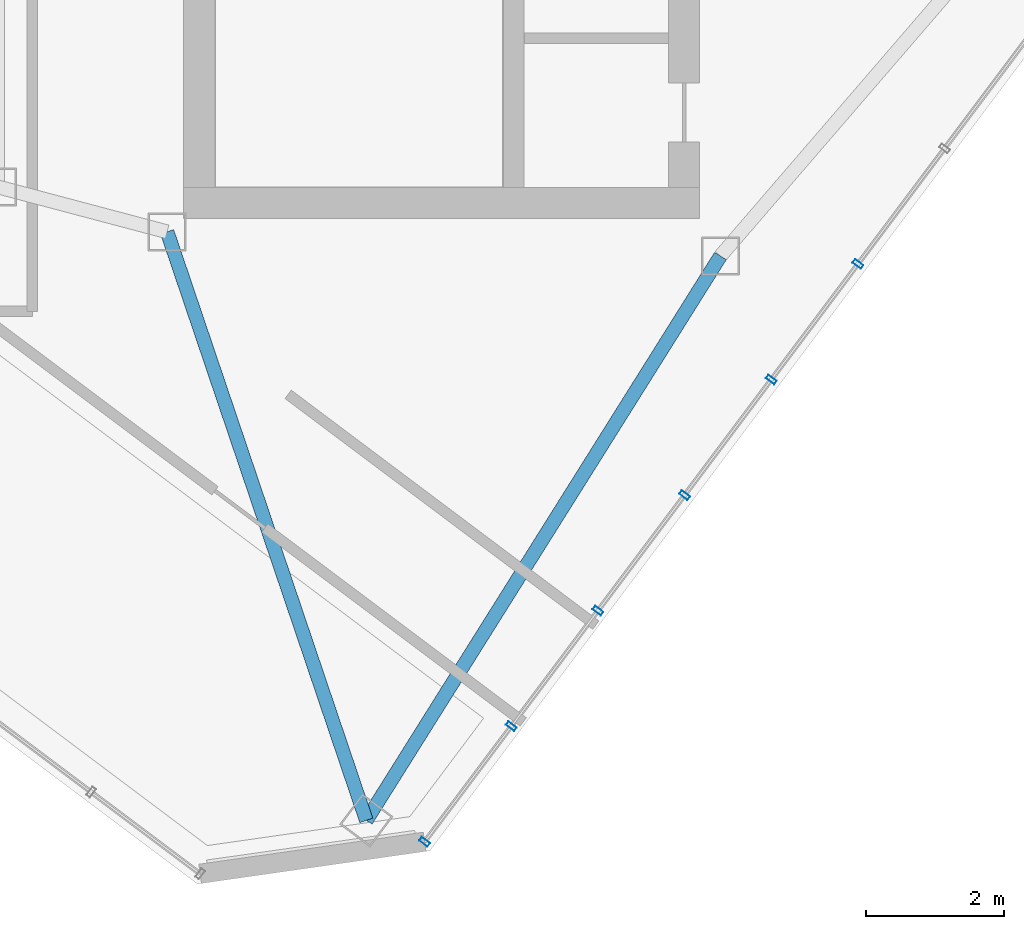
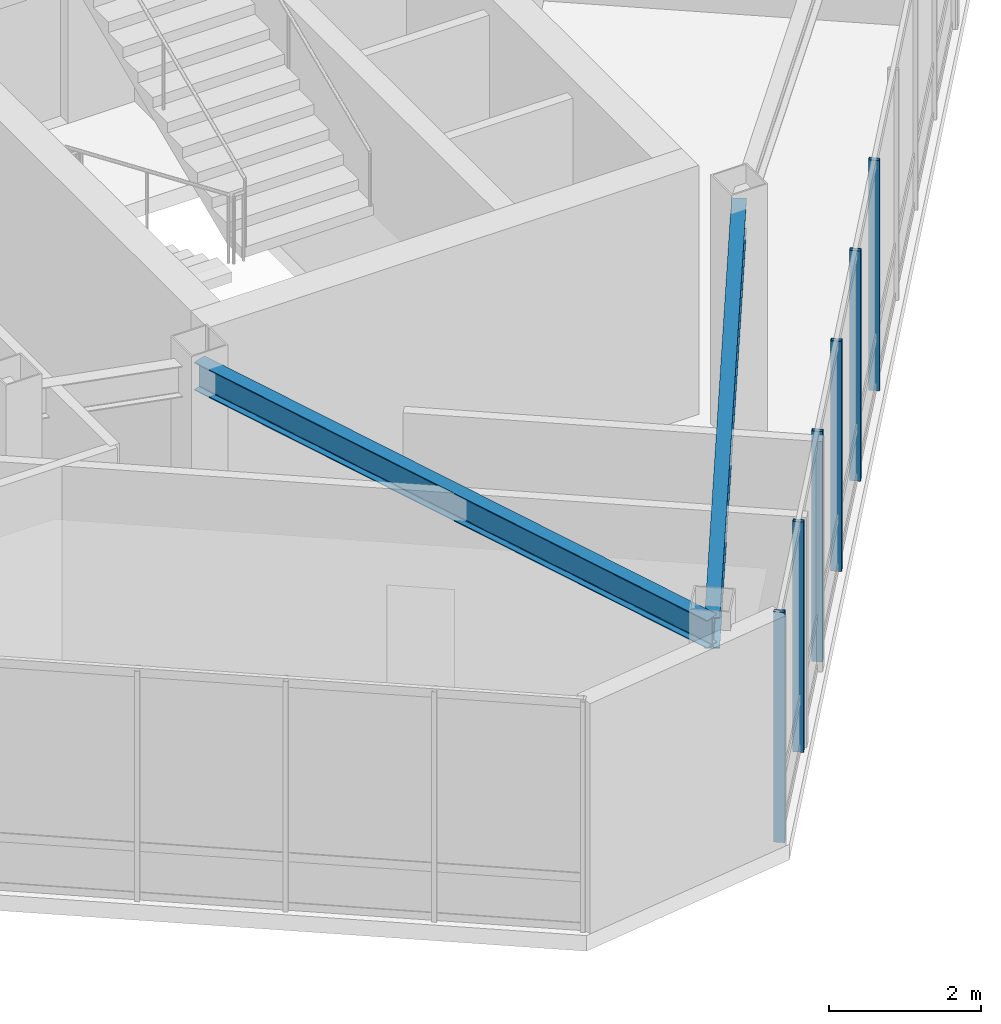
# One storey, part 5 of 24: 6 members, 2 beams, 1 element without a shape of its own.
"""IFC4 building model written with IfcOpenShell, lengths in metres."""

from ifc_helpers import new_model, si_unit, direction, frame, origin, origin_2d, place, context, subcontext, project, spatial, hollow_rectangle, i_section, extrude, material, layer, layer_set, material_profile, profile_set, type_object, element, aggregate, save


model = new_model("IFC4")

# Units and contexts
model_context = context("Model", 3, precision=1e-05, world=origin(), true_north=direction((0.0, 1.0)))
body_context = subcontext(model_context, "Body", "Model", "MODEL_VIEW")
ifc_project = project(units=[si_unit("LENGTHUNIT", "METRE"), si_unit("AREAUNIT", "SQUARE_METRE"), si_unit("VOLUMEUNIT", "CUBIC_METRE"), si_unit("PLANEANGLEUNIT", "RADIAN"), si_unit("MASSUNIT", "GRAM", prefix="KILO")], contexts=[model_context])

# Site, building, storey
site_placement = place(None, origin())
site = spatial("IfcSite", under=ifc_project, at=site_placement, CompositionType="ELEMENT")
building_placement = place(site_placement, origin())
building = spatial("IfcBuilding", under=site, at=building_placement, Name="Hatsunagi Terrace Concourse", CompositionType="ELEMENT")
storey_placement = place(building_placement, frame((0.0, 0.0, 285.949951171875)))
storey = spatial("IfcBuildingStorey", under=building, at=storey_placement, Name="L75", CompositionType="ELEMENT", Elevation=285.949951171875)

# Beam
ifc_material_1 = material(Name="Steel SN490B", Category="steel")
ifc_material_profile_1 = material_profile(ifc_material_1, i_section(OverallWidth=0.199951171875, OverallDepth=0.5, WebThickness=0.010009765625, FlangeThickness=0.01611328125, FilletRadius=0.01611328125, at=origin_2d()), Name="H-500x200x10x16")
ifc_profile_set_1 = profile_set([ifc_material_profile_1], Name="Steel SN490B")
beam_type_1 = type_object("IfcBeamType", Name="CrownFloorGirder_H_500x200", PredefinedType="BEAM", material=ifc_profile_set_1)
beam_1_placement = place(storey_placement, frame((38.679931640625, 16.0400390625, 3.449951171875), z_axis=(0.531503907049, 0.847055840421, 0.0), x_axis=(-0.847055840421, 0.531503907049, 0.0)))
element("IfcBeam", 1, at=beam_1_placement, inside=storey, type_object=beam_type_1, Name="Beam G-07 BM-L75-SET-1A", PredefinedType="BEAM", context=body_context, shape_type="SweptSolid", body=[
    extrude(i_section(OverallWidth=0.199951171875, OverallDepth=0.5, WebThickness=0.010009765625, FlangeThickness=0.01611328125, FilletRadius=0.01611328125, at=origin_2d()), origin(), (0.0, 0.0, 1.0), 9.63330078125),
])

# Curtain wall, members
ifc_material_2 = material(Name="Anodised Aluminium Alloy 6063-T5", Category="aluminium")
ifc_layer = layer(ifc_material_2, 0.199951171875)
ifc_layer_set = layer_set([ifc_layer], Name="CrownWintergarden_CW06")
curtain_wall_type = type_object("IfcCurtainWallType", Name="CrownWintergarden_CW06", PredefinedType="NOTDEFINED", material=ifc_layer_set)
curtain_wall_placement = place(storey_placement, origin())
curtain_wall = element("IfcCurtainWall", 2, at=curtain_wall_placement, inside=storey, type_object=curtain_wall_type, Name="Unitised Curtain Wall CW-06 CW-L75-03", PredefinedType="NOTDEFINED")
ifc_material_3 = material(Name="Anodised Aluminium Alloy 6063-T5", Category="aluminium")
ifc_material_profile_2 = material_profile(ifc_material_3, hollow_rectangle(XDim=0.06494140625, YDim=0.14990234375, WallThickness=0.00390625, at=origin_2d()), Name="ALU-MUL-150x65x4")
ifc_profile_set_2 = profile_set([ifc_material_profile_2], Name="Anodised Aluminium Alloy 6063-T5")
member_type = type_object("IfcMemberType", Name="CurtainWallMullion_Crown_150x65", PredefinedType="MULLION", material=ifc_profile_set_2)
member_1_placement = place(storey_placement, frame((45.7880859375, 24.083984375, 0.0), z_axis=(0.0, 0.0, 1.0), x_axis=(-0.599969314634, -0.800023013105, 0.0)))
member_1 = element("IfcMember", 3, at=member_1_placement, type_object=member_type, Name="Curtain Wall Mullion MUL-03", PredefinedType="MULLION", context=body_context, shape_type="SweptSolid", body=[
    extrude(hollow_rectangle(XDim=0.06494140625, YDim=0.14990234375, WallThickness=0.00390625, at=origin_2d()), origin(), (0.0, 0.0, 1.0), 3.699951171875),
])
member_2_placement = place(storey_placement, frame((44.534912109375, 22.4130859375, 0.0), z_axis=(0.0, 0.0, 1.0), x_axis=(-0.599969314634, -0.800023013105, 0.0)))
member_2 = element("IfcMember", 4, at=member_2_placement, type_object=member_type, Name="Curtain Wall Mullion MUL-03", PredefinedType="MULLION", context=body_context, shape_type="SweptSolid", body=[
    extrude(hollow_rectangle(XDim=0.06494140625, YDim=0.14990234375, WallThickness=0.00390625, at=origin_2d()), origin(), (0.0, 0.0, 1.0), 3.699951171875),
])
member_3_placement = place(storey_placement, frame((43.281982421875, 20.741943359375, 0.0), z_axis=(0.0, 0.0, 1.0), x_axis=(-0.599969314634, -0.800023013105, 0.0)))
member_3 = element("IfcMember", 5, at=member_3_placement, type_object=member_type, Name="Curtain Wall Mullion MUL-03", PredefinedType="MULLION", context=body_context, shape_type="SweptSolid", body=[
    extrude(hollow_rectangle(XDim=0.06494140625, YDim=0.14990234375, WallThickness=0.00390625, at=origin_2d()), origin(), (0.0, 0.0, 1.0), 3.699951171875),
])
member_4_placement = place(storey_placement, frame((42.029052734375, 19.072021484375, 0.0), z_axis=(0.0, 0.0, 1.0), x_axis=(-0.599969314634, -0.800023013105, 0.0)))
member_4 = element("IfcMember", 6, at=member_4_placement, type_object=member_type, Name="Curtain Wall Mullion MUL-03", PredefinedType="MULLION", context=body_context, shape_type="SweptSolid", body=[
    extrude(hollow_rectangle(XDim=0.06494140625, YDim=0.14990234375, WallThickness=0.00390625, at=origin_2d()), origin(), (0.0, 0.0, 1.0), 3.699951171875),
])
member_5_placement = place(storey_placement, frame((40.77587890625, 17.40087890625, 0.0), z_axis=(0.0, 0.0, 1.0), x_axis=(-0.599969314634, -0.800023013105, 0.0)))
member_5 = element("IfcMember", 7, at=member_5_placement, type_object=member_type, Name="Curtain Wall Mullion MUL-03", PredefinedType="MULLION", context=body_context, shape_type="SweptSolid", body=[
    extrude(hollow_rectangle(XDim=0.06494140625, YDim=0.14990234375, WallThickness=0.00390625, at=origin_2d()), origin(), (0.0, 0.0, 1.0), 3.699951171875),
])
member_6_placement = place(storey_placement, frame((39.52294921875, 15.72998046875, 0.0), z_axis=(0.0, 0.0, 1.0), x_axis=(-0.599969314634, -0.800023013105, 0.0)))
member_6 = element("IfcMember", 8, at=member_6_placement, type_object=member_type, Name="Curtain Wall Mullion MUL-03", PredefinedType="MULLION", context=body_context, shape_type="SweptSolid", body=[
    extrude(hollow_rectangle(XDim=0.06494140625, YDim=0.14990234375, WallThickness=0.00390625, at=origin_2d()), origin(), (0.0, 0.0, 1.0), 3.699951171875),
])
aggregate(curtain_wall, [member_1, member_2, member_3, member_4, member_5, member_6])

# Beam
ifc_material_4 = material(Name="Steel SN490B", Category="steel")
ifc_material_profile_3 = material_profile(ifc_material_4, i_section(OverallWidth=0.199951171875, OverallDepth=0.449951171875, WebThickness=0.009033203125, FlangeThickness=0.013916015625, FilletRadius=0.01611328125, at=origin_2d()), Name="H-450x200x9x14")
ifc_profile_set_3 = profile_set([ifc_material_profile_3], Name="Steel SN490B")
beam_type_2 = type_object("IfcBeamType", Name="PerimeterSpandrel_H_450x200", PredefinedType="SPANDREL", material=ifc_profile_set_3)
beam_2_placement = place(storey_placement, frame((35.800048828125, 24.550048828125, 3.47509765625), z_axis=(0.320553412271, -0.947230441805, 0.0), x_axis=(0.947230441805, 0.320553412271, 0.0)))
element("IfcBeam", 9, at=beam_2_placement, inside=storey, type_object=beam_type_2, Name="Beam SP-02 BM-L75-SE-SW0", PredefinedType="SPANDREL", context=body_context, shape_type="SweptSolid", body=[
    extrude(i_section(OverallWidth=0.199951171875, OverallDepth=0.449951171875, WebThickness=0.009033203125, FlangeThickness=0.013916015625, FilletRadius=0.01611328125, at=origin_2d()), origin(), (0.0, 0.0, 1.0), 8.984130859375),
])

save(model, "model.ifc")
